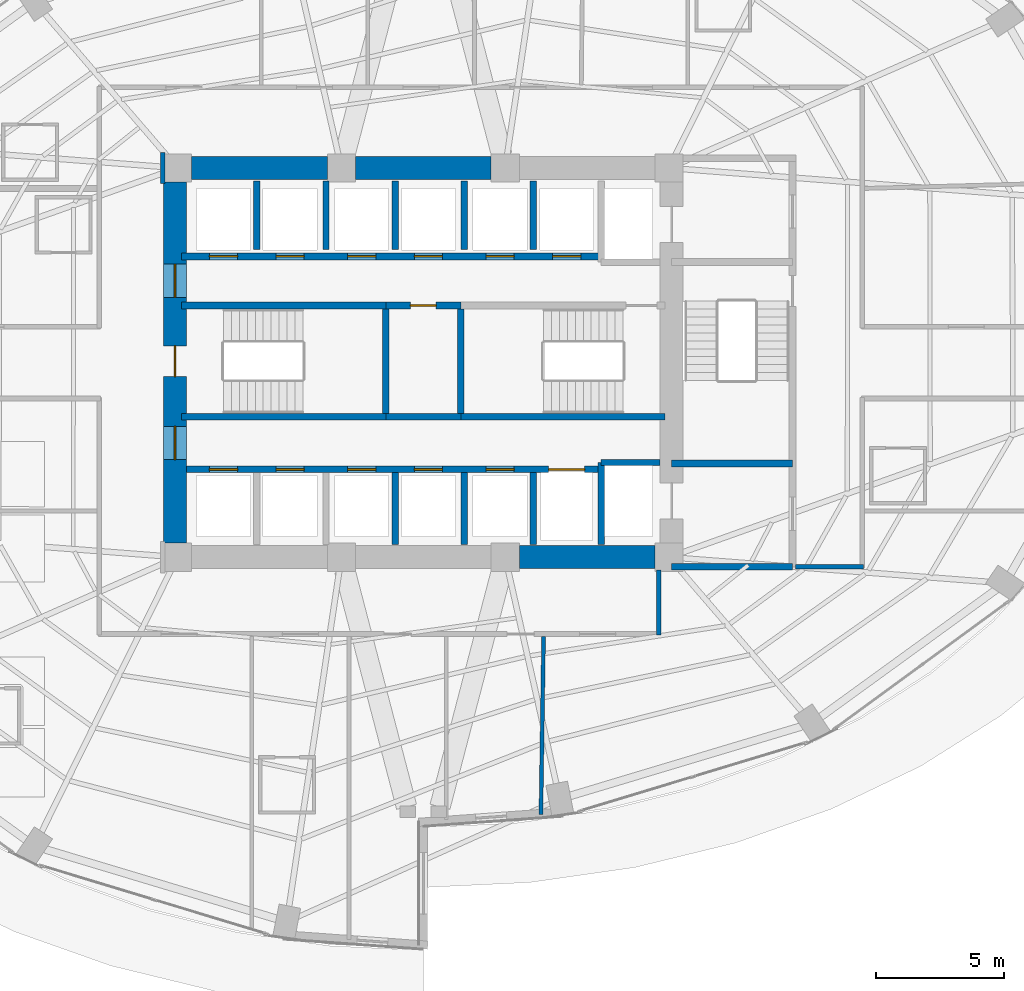
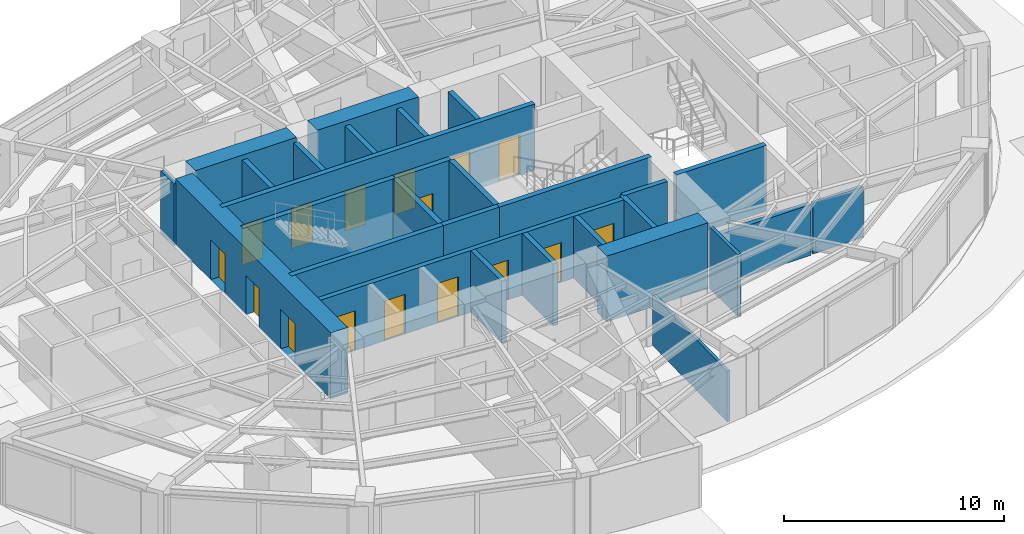
# One storey, part 21 of 25: 29 walls, 16 doors, 16 openings.
"""IFC4 building model written with IfcOpenShell, lengths in metres."""

from ifc_helpers import new_model, si_unit, direction, frame, frame_2d, origin, place, context, subcontext, project, spatial, rectangle, extrude, material, layer, layer_set, type_object, element, fill, save


model = new_model("IFC4")

# Units and contexts
model_context = context("Model", 3, precision=1e-05, world=origin(), true_north=direction((0.0, 1.0)))
body_context = subcontext(model_context, "Body", "Model", "MODEL_VIEW")
ifc_project = project(units=[si_unit("LENGTHUNIT", "METRE"), si_unit("AREAUNIT", "SQUARE_METRE"), si_unit("VOLUMEUNIT", "CUBIC_METRE"), si_unit("PLANEANGLEUNIT", "RADIAN"), si_unit("MASSUNIT", "GRAM", prefix="KILO")], contexts=[model_context])

# Site, building, storey
site_placement = place(None, origin())
site = spatial("IfcSite", under=ifc_project, at=site_placement, CompositionType="ELEMENT")
building_placement = place(site_placement, origin())
building = spatial("IfcBuilding", under=site, at=building_placement, Name="Lazwardi Medical Tower", CompositionType="ELEMENT")
storey_placement = place(building_placement, frame((0.0, 0.0, 25.199951171875)))
storey = spatial("IfcBuildingStorey", under=building, at=storey_placement, Name="L05", CompositionType="ELEMENT", Elevation=25.199951171875)

# Walls
ifc_material_1 = material(Name="Fire-rated gypsum board on steel stud", Category="steel")
ifc_layer_1 = layer(ifc_material_1, 0.179931640625)
ifc_layer_set_1 = layer_set([ifc_layer_1], Name="Fire-rated gypsum board on steel stud")
wall_type_1 = type_object("IfcWallType", Name="WL-COR-180", PredefinedType="PARTITIONING", material=ifc_layer_set_1)
wall_1_placement = place(storey_placement, frame((53.18994140625, 20.02001953125, 0.0), z_axis=(0.0, 0.0, 1.0), x_axis=(-1.0, 0.0, 0.0)))
element("IfcWall", 1, at=wall_1_placement, inside=storey, type_object=wall_type_1, Name="L05 Corridor partition 11", PredefinedType="PARTITIONING", context=body_context, shape_type="SweptSolid", body=[
    extrude(rectangle(XDim=2.64990234375, YDim=0.179931640625, at=frame_2d((1.324951171875, 0.0))), origin(), (0.0, 0.0, 1.0), 2.81298828125),
])
wall_2_placement = place(storey_placement, frame((25.830078125, 36.2099609375, 0.0), z_axis=(0.0, 0.0, 1.0), x_axis=(0.0, -1.0, 0.0)))
element("IfcWall", 2, at=wall_2_placement, inside=storey, type_object=wall_type_1, Name="L05 Corridor partition 12", PredefinedType="PARTITIONING", context=body_context, shape_type="SweptSolid", body=[
    extrude(rectangle(XDim=1.219970703125, YDim=0.179931640625, at=frame_2d((0.60986328125, 0.0))), origin(), (0.0, 0.0, 1.0), 3.427978515625),
])
wall_3_placement = place(storey_placement, frame((45.199951171875, 19.909912109375, 0.0), z_axis=(0.0, 0.0, 1.0), x_axis=(0.0, -1.0, 0.0)))
element("IfcWall", 3, at=wall_3_placement, inside=storey, type_object=wall_type_1, Name="L05 Corridor partition 14", PredefinedType="PARTITIONING", context=body_context, shape_type="SweptSolid", body=[
    extrude(rectangle(XDim=2.5498046875, YDim=0.179931640625, at=frame_2d((1.27490234375, 0.0))), origin(), (0.0, 0.0, 1.0), 3.427978515625),
])

# Wall, openings, doors
ifc_material_2 = material(Name="Concrete C80/95", Category="concrete")
ifc_layer_2 = layer(ifc_material_2, 0.89990234375)
ifc_layer_set_2 = layer_set([ifc_layer_2], Name="Concrete C80/95")
wall_type_2 = type_object("IfcWallType", Name="WL-CORE-900", PredefinedType="SHEAR", material=ifc_layer_set_2)
wall_4_placement = place(storey_placement, frame((26.300048828125, 20.949951171875, 0.0), z_axis=(0.0, 0.0, 1.0), x_axis=(0.0, 1.0, 0.0)))
wall_4 = element("IfcWall", 4, at=wall_4_placement, inside=storey, type_object=wall_type_2, Name="Core wall CW-S1 west L05", PredefinedType="SHEAR", context=body_context, shape_type="SweptSolid", body=[
    extrude(rectangle(XDim=14.10009765625, YDim=0.89990234375, at=frame_2d((7.050048828125, 0.0))), origin(), (0.0, 0.0, 1.0), 3.64794921875),
])
opening_1_placement = place(wall_4_placement, frame((6.5, 0.0, 0.0)))
opening_1 = element("IfcOpeningElement", 5, at=opening_1_placement, cuts=wall_4, Name="Opening D-L05-027", PredefinedType="OPENING", context=body_context, shape_type="SweptSolid", body=[
    extrude(rectangle(XDim=1.199951171875, YDim=2.14990234375, at=frame_2d((0.60009765625, 1.074951171875))), frame((0.0, 0.4599609375, 0.0), z_axis=(0.0, -1.0, 0.0), x_axis=(1.0, 0.0, 0.0)), (0.0, 0.0, 1.0), 0.919921875),
])
opening_2_placement = place(wall_4_placement, frame((9.60009765625, 0.0, 0.0)))
opening_2 = element("IfcOpeningElement", 6, at=opening_2_placement, cuts=wall_4, Name="Opening D-L05-012", PredefinedType="OPENING", context=body_context, shape_type="SweptSolid", body=[
    extrude(rectangle(XDim=1.300048828125, YDim=2.199951171875, at=frame_2d((0.64990234375, 1.10009765625))), frame((0.0, 0.4599609375, 0.0), z_axis=(0.0, -1.0, 0.0), x_axis=(1.0, 0.0, 0.0)), (0.0, 0.0, 1.0), 0.919921875),
])
opening_3_placement = place(wall_4_placement, frame((3.260009765625, 0.0, 0.0)))
opening_3 = element("IfcOpeningElement", 7, at=opening_3_placement, cuts=wall_4, Name="Opening D-L05-013", PredefinedType="OPENING", context=body_context, shape_type="SweptSolid", body=[
    extrude(rectangle(XDim=1.300048828125, YDim=2.199951171875, at=frame_2d((0.64990234375, 1.10009765625))), frame((0.0, 0.4599609375, 0.0), z_axis=(0.0, -1.0, 0.0), x_axis=(1.0, 0.0, 0.0)), (0.0, 0.0, 1.0), 0.919921875),
])
ifc_material_3 = material(Name="Fire-rated steel leaf and frame", Category="steel")
door_type_1 = type_object("IfcDoorType", Name="DR-FFL-1300", OperationType="NOTDEFINED", PredefinedType="DOOR", material=ifc_material_3)
door_1_placement = place(opening_2_placement, origin())
door_1 = element("IfcDoor", 8, at=door_1_placement, inside=storey, type_object=door_type_1, Name="L05 North Lift Lobby Door", OperationType="SINGLE_SWING_RIGHT", OverallHeight=2.199951171875, OverallWidth=1.300048828125, PredefinedType="DOOR", context=body_context, shape_type="SweptSolid", body=[
    extrude(rectangle(XDim=1.300048828125, YDim=2.199951171875, at=frame_2d((0.64990234375, 1.10009765625))), frame((0.0, 0.02490234375, 0.0), z_axis=(0.0, -1.0, 0.0), x_axis=(1.0, 0.0, 0.0)), (0.0, 0.0, 1.0), 0.050048828125),
])
fill(opening_2, door_1)
door_2_placement = place(opening_3_placement, origin())
door_2 = element("IfcDoor", 9, at=door_2_placement, inside=storey, type_object=door_type_1, Name="L05 South Lift Lobby Door", OperationType="SINGLE_SWING_LEFT", OverallHeight=2.199951171875, OverallWidth=1.300048828125, PredefinedType="DOOR", context=body_context, shape_type="SweptSolid", body=[
    extrude(rectangle(XDim=1.300048828125, YDim=2.199951171875, at=frame_2d((0.64990234375, 1.10009765625))), frame((0.0, 0.02490234375, 0.0), z_axis=(0.0, -1.0, 0.0), x_axis=(1.0, 0.0, 0.0)), (0.0, 0.0, 1.0), 0.050048828125),
])
fill(opening_3, door_2)
door_type_2 = type_object("IfcDoorType", Name="DR-STR-1200", OperationType="NOTDEFINED", PredefinedType="DOOR", material=ifc_material_3)
door_3_placement = place(opening_1_placement, origin())
door_3 = element("IfcDoor", 10, at=door_3_placement, inside=storey, type_object=door_type_2, Name="L05 Exit Stair ST1 Door", OperationType="SINGLE_SWING_LEFT", OverallHeight=2.14990234375, OverallWidth=1.199951171875, PredefinedType="DOOR", context=body_context, shape_type="SweptSolid", body=[
    extrude(rectangle(XDim=1.199951171875, YDim=2.14990234375, at=frame_2d((0.60009765625, 1.074951171875))), frame((0.0, 0.02490234375, 0.0), z_axis=(0.0, -1.0, 0.0), x_axis=(1.0, 0.0, 0.0)), (0.0, 0.0, 1.0), 0.050048828125),
])
fill(opening_1, door_3)

# Walls
wall_5_placement = place(storey_placement, frame((26.949951171875, 35.60009765625, 0.0), z_axis=(0.0, 0.0, 1.0), x_axis=(1.0, 0.0, 0.0)))
element("IfcWall", 11, at=wall_5_placement, inside=storey, type_object=wall_type_2, Name="Core wall CW-S1 N1 L05", PredefinedType="SHEAR", context=body_context, shape_type="SweptSolid", body=[
    extrude(rectangle(XDim=5.300048828125, YDim=0.89990234375, at=frame_2d((2.64990234375, 0.0))), origin(), (0.0, 0.0, 1.0), 3.64794921875),
])
wall_6_placement = place(storey_placement, frame((33.35009765625, 35.60009765625, 0.0), z_axis=(0.0, 0.0, 1.0), x_axis=(1.0, 0.0, 0.0)))
element("IfcWall", 12, at=wall_6_placement, inside=storey, type_object=wall_type_2, Name="Core wall CW-S1 N2 L05", PredefinedType="SHEAR", context=body_context, shape_type="SweptSolid", body=[
    extrude(rectangle(XDim=5.2998046875, YDim=0.89990234375, at=frame_2d((2.64990234375, 0.0))), origin(), (0.0, 0.0, 1.0), 3.64794921875),
])
wall_7_placement = place(storey_placement, frame((39.75, 20.39990234375, 0.0), z_axis=(0.0, 0.0, 1.0), x_axis=(1.0, 0.0, 0.0)))
element("IfcWall", 13, at=wall_7_placement, inside=storey, type_object=wall_type_2, Name="Core wall CW-S1 S3 L05", PredefinedType="SHEAR", context=body_context, shape_type="SweptSolid", body=[
    extrude(rectangle(XDim=5.300048828125, YDim=0.89990234375, at=frame_2d((2.64990234375, 0.0))), origin(), (0.0, 0.0, 1.0), 3.64794921875),
])

# Wall, openings, doors
ifc_material_4 = material(Name="Autoclaved aerated concrete blockwork", Category="masonry")
ifc_layer_3 = layer(ifc_material_4, 0.25)
ifc_layer_set_3 = layer_set([ifc_layer_3], Name="Autoclaved aerated concrete blockwork")
wall_type_3 = type_object("IfcWallType", Name="WL-SHAFT-250", PredefinedType="SOLIDWALL", material=ifc_layer_set_3)
wall_8_placement = place(storey_placement, frame((26.75, 23.830078125, 0.0), z_axis=(0.0, 0.0, 1.0), x_axis=(1.0, 0.0, 0.0)))
wall_8 = element("IfcWall", 14, at=wall_8_placement, inside=storey, type_object=wall_type_3, Name="L05 South lift bank front wall", PredefinedType="SOLIDWALL", context=body_context, shape_type="SweptSolid", body=[
    extrude(rectangle(XDim=16.199951171875, YDim=0.25, at=frame_2d((8.10009765625, 0.0))), origin(), (0.0, 0.0, 1.0), 3.427978515625),
])
opening_4_placement = place(wall_8_placement, frame((0.89990234375, 0.0, 0.0)))
opening_4 = element("IfcOpeningElement", 15, at=opening_4_placement, cuts=wall_8, Name="Opening LD-L05-006", PredefinedType="OPENING", context=body_context, shape_type="SweptSolid", body=[
    extrude(rectangle(XDim=1.10009765625, YDim=2.199951171875, at=frame_2d((0.550048828125, 1.10009765625))), frame((0.0, 0.135009765625, 0.0), z_axis=(0.0, -1.0, 0.0), x_axis=(1.0, 0.0, 0.0)), (0.0, 0.0, 1.0), 0.27001953125),
])
opening_5_placement = place(wall_8_placement, frame((3.5, 0.0, 0.0)))
opening_5 = element("IfcOpeningElement", 16, at=opening_5_placement, cuts=wall_8, Name="Opening LD-L05-007", PredefinedType="OPENING", context=body_context, shape_type="SweptSolid", body=[
    extrude(rectangle(XDim=1.10009765625, YDim=2.199951171875, at=frame_2d((0.550048828125, 1.10009765625))), frame((0.0, 0.135009765625, 0.0), z_axis=(0.0, -1.0, 0.0), x_axis=(1.0, 0.0, 0.0)), (0.0, 0.0, 1.0), 0.27001953125),
])
opening_6_placement = place(wall_8_placement, frame((6.300048828125, 0.0, 0.0)))
opening_6 = element("IfcOpeningElement", 17, at=opening_6_placement, cuts=wall_8, Name="Opening LD-L05-010", PredefinedType="OPENING", context=body_context, shape_type="SweptSolid", body=[
    extrude(rectangle(XDim=1.10009765625, YDim=2.199951171875, at=frame_2d((0.550048828125, 1.10009765625))), frame((0.0, 0.135009765625, 0.0), z_axis=(0.0, -1.0, 0.0), x_axis=(1.0, 0.0, 0.0)), (0.0, 0.0, 1.0), 0.27001953125),
])
opening_7_placement = place(wall_8_placement, frame((8.89990234375, 0.0, 0.0)))
opening_7 = element("IfcOpeningElement", 18, at=opening_7_placement, cuts=wall_8, Name="Opening LD-L05-011", PredefinedType="OPENING", context=body_context, shape_type="SweptSolid", body=[
    extrude(rectangle(XDim=1.10009765625, YDim=2.199951171875, at=frame_2d((0.550048828125, 1.10009765625))), frame((0.0, 0.135009765625, 0.0), z_axis=(0.0, -1.0, 0.0), x_axis=(1.0, 0.0, 0.0)), (0.0, 0.0, 1.0), 0.27001953125),
])
opening_8_placement = place(wall_8_placement, frame((11.699951171875, 0.0, 0.0)))
opening_8 = element("IfcOpeningElement", 19, at=opening_8_placement, cuts=wall_8, Name="Opening LD-L05-014", PredefinedType="OPENING", context=body_context, shape_type="SweptSolid", body=[
    extrude(rectangle(XDim=1.10009765625, YDim=2.199951171875, at=frame_2d((0.550048828125, 1.10009765625))), frame((0.0, 0.135009765625, 0.0), z_axis=(0.0, -1.0, 0.0), x_axis=(1.0, 0.0, 0.0)), (0.0, 0.0, 1.0), 0.27001953125),
])
opening_9_placement = place(wall_8_placement, frame((14.14990234375, 0.0, 0.0)))
opening_9 = element("IfcOpeningElement", 20, at=opening_9_placement, cuts=wall_8, Name="Opening LD-L05-003", PredefinedType="OPENING", context=body_context, shape_type="SweptSolid", body=[
    extrude(rectangle(XDim=1.39990234375, YDim=2.300048828125, at=frame_2d((0.699951171875, 1.14990234375))), frame((0.0, 0.135009765625, 0.0), z_axis=(0.0, -1.0, 0.0), x_axis=(1.0, 0.0, 0.0)), (0.0, 0.0, 1.0), 0.27001953125),
])
ifc_material_5 = material(Name="Brushed bronze stainless steel landing door", Category="steel")
door_type_3 = type_object("IfcDoorType", Name="DR-LFT-1100", OperationType="NOTDEFINED", PredefinedType="DOOR", material=ifc_material_5)
door_4_placement = place(opening_4_placement, origin())
door_4 = element("IfcDoor", 21, at=door_4_placement, inside=storey, type_object=door_type_3, Name="L05 Lift Landing Door PL-03", OperationType="SLIDING_TO_LEFT", OverallHeight=2.199951171875, OverallWidth=1.10009765625, PredefinedType="DOOR", context=body_context, shape_type="SweptSolid", body=[
    extrude(rectangle(XDim=1.10009765625, YDim=2.199951171875, at=frame_2d((0.550048828125, 1.10009765625))), frame((0.0, 0.02490234375, 0.0), z_axis=(0.0, -1.0, 0.0), x_axis=(1.0, 0.0, 0.0)), (0.0, 0.0, 1.0), 0.050048828125),
])
fill(opening_4, door_4)
door_5_placement = place(opening_5_placement, origin())
door_5 = element("IfcDoor", 22, at=door_5_placement, inside=storey, type_object=door_type_3, Name="L05 Lift Landing Door PL-04", OperationType="SLIDING_TO_LEFT", OverallHeight=2.199951171875, OverallWidth=1.10009765625, PredefinedType="DOOR", context=body_context, shape_type="SweptSolid", body=[
    extrude(rectangle(XDim=1.10009765625, YDim=2.199951171875, at=frame_2d((0.550048828125, 1.10009765625))), frame((0.0, 0.02490234375, 0.0), z_axis=(0.0, -1.0, 0.0), x_axis=(1.0, 0.0, 0.0)), (0.0, 0.0, 1.0), 0.050048828125),
])
fill(opening_5, door_5)
door_6_placement = place(opening_6_placement, origin())
door_6 = element("IfcDoor", 23, at=door_6_placement, inside=storey, type_object=door_type_3, Name="L05 Lift Landing Door PL-07", OperationType="SLIDING_TO_LEFT", OverallHeight=2.199951171875, OverallWidth=1.10009765625, PredefinedType="DOOR", context=body_context, shape_type="SweptSolid", body=[
    extrude(rectangle(XDim=1.10009765625, YDim=2.199951171875, at=frame_2d((0.550048828125, 1.10009765625))), frame((0.0, 0.02490234375, 0.0), z_axis=(0.0, -1.0, 0.0), x_axis=(1.0, 0.0, 0.0)), (0.0, 0.0, 1.0), 0.050048828125),
])
fill(opening_6, door_6)
door_7_placement = place(opening_7_placement, origin())
door_7 = element("IfcDoor", 24, at=door_7_placement, inside=storey, type_object=door_type_3, Name="L05 Lift Landing Door PL-08", OperationType="SLIDING_TO_LEFT", OverallHeight=2.199951171875, OverallWidth=1.10009765625, PredefinedType="DOOR", context=body_context, shape_type="SweptSolid", body=[
    extrude(rectangle(XDim=1.10009765625, YDim=2.199951171875, at=frame_2d((0.550048828125, 1.10009765625))), frame((0.0, 0.02490234375, 0.0), z_axis=(0.0, -1.0, 0.0), x_axis=(1.0, 0.0, 0.0)), (0.0, 0.0, 1.0), 0.050048828125),
])
fill(opening_7, door_7)
door_8_placement = place(opening_8_placement, origin())
door_8 = element("IfcDoor", 25, at=door_8_placement, inside=storey, type_object=door_type_3, Name="L05 Lift Landing Door PL-11", OperationType="SLIDING_TO_LEFT", OverallHeight=2.199951171875, OverallWidth=1.10009765625, PredefinedType="DOOR", context=body_context, shape_type="SweptSolid", body=[
    extrude(rectangle(XDim=1.10009765625, YDim=2.199951171875, at=frame_2d((0.550048828125, 1.10009765625))), frame((0.0, 0.02490234375, 0.0), z_axis=(0.0, -1.0, 0.0), x_axis=(1.0, 0.0, 0.0)), (0.0, 0.0, 1.0), 0.050048828125),
])
fill(opening_8, door_8)
ifc_material_6 = material(Name="Brushed stainless steel bed-lift landing door", Category="steel")
door_type_4 = type_object("IfcDoorType", Name="DR-LFT-1400", OperationType="NOTDEFINED", PredefinedType="DOOR", material=ifc_material_6)
door_9_placement = place(opening_9_placement, origin())
door_9 = element("IfcDoor", 26, at=door_9_placement, inside=storey, type_object=door_type_4, Name="L05 Lift Landing Door FL-03", OperationType="SLIDING_TO_LEFT", OverallHeight=2.300048828125, OverallWidth=1.39990234375, PredefinedType="DOOR", context=body_context, shape_type="SweptSolid", body=[
    extrude(rectangle(XDim=1.39990234375, YDim=2.300048828125, at=frame_2d((0.699951171875, 1.14990234375))), frame((0.0, 0.02490234375, 0.0), z_axis=(0.0, -1.0, 0.0), x_axis=(1.0, 0.0, 0.0)), (0.0, 0.0, 1.0), 0.050048828125),
])
fill(opening_9, door_9)

# Walls
wall_9_placement = place(storey_placement, frame((42.949951171875, 20.89990234375, 0.0), z_axis=(0.0, 0.0, 1.0), x_axis=(0.0, 1.0, 0.0)))
element("IfcWall", 27, at=wall_9_placement, inside=storey, type_object=wall_type_3, Name="L05 FL-02 West shaft wall", PredefinedType="SOLIDWALL", context=body_context, shape_type="SweptSolid", body=[
    extrude(rectangle(XDim=3.2001953125, YDim=0.25, at=frame_2d((1.60009765625, 0.0))), origin(), (0.0, 0.0, 1.0), 3.427978515625),
])
wall_10_placement = place(storey_placement, frame((42.949951171875, 24.10009765625, 0.0), z_axis=(0.0, 0.0, 1.0), x_axis=(1.0, 0.0, 0.0)))
element("IfcWall", 28, at=wall_10_placement, inside=storey, type_object=wall_type_3, Name="L05 FL-02 North shaft wall", PredefinedType="SOLIDWALL", context=body_context, shape_type="SweptSolid", body=[
    extrude(rectangle(XDim=2.300048828125, YDim=0.25, at=frame_2d((1.14990234375, 0.0))), origin(), (0.0, 0.0, 1.0), 3.427978515625),
])
for number, where, z_axis, x_axis, name in (
    (29, (29.5, 32.419921875, 0.0), (0.0, 0.0, 1.0), (0.0, 1.0, 0.0), "L05 North hoistway divider"),
    (30, (32.199951171875, 32.419921875, 0.0), (0.0, 0.0, 1.0), (0.0, 1.0, 0.0), "L05 North hoistway divider"),
    (31, (34.89990234375, 32.419921875, 0.0), (0.0, 0.0, 1.0), (0.0, 1.0, 0.0), "L05 North hoistway divider"),
):
    element("IfcWall", number, at=place(storey_placement, frame(where, z_axis=z_axis, x_axis=x_axis)), inside=storey, type_object=wall_type_3, Name=name, PredefinedType="SOLIDWALL", context=body_context, shape_type="SweptSolid", body=[
        extrude(rectangle(XDim=2.68017578125, YDim=0.25, at=frame_2d((1.340087890625, 0.0))), origin(), (0.0, 0.0, 1.0), 3.427978515625),
    ])
wall_11_placement = place(storey_placement, frame((34.89990234375, 20.89990234375, 0.0), z_axis=(0.0, 0.0, 1.0), x_axis=(0.0, 1.0, 0.0)))
element("IfcWall", 32, at=wall_11_placement, inside=storey, type_object=wall_type_3, Name="L05 South hoistway divider", PredefinedType="SOLIDWALL", context=body_context, shape_type="SweptSolid", body=[
    extrude(rectangle(XDim=2.800048828125, YDim=0.25, at=frame_2d((1.39990234375, 0.0))), origin(), (0.0, 0.0, 1.0), 3.427978515625),
])
wall_12_placement = place(storey_placement, frame((37.60009765625, 32.419921875, 0.0), z_axis=(0.0, 0.0, 1.0), x_axis=(0.0, 1.0, 0.0)))
element("IfcWall", 33, at=wall_12_placement, inside=storey, type_object=wall_type_3, Name="L05 North hoistway divider", PredefinedType="SOLIDWALL", context=body_context, shape_type="SweptSolid", body=[
    extrude(rectangle(XDim=2.68017578125, YDim=0.25, at=frame_2d((1.340087890625, 0.0))), origin(), (0.0, 0.0, 1.0), 3.427978515625),
])
wall_13_placement = place(storey_placement, frame((37.60009765625, 20.89990234375, 0.0), z_axis=(0.0, 0.0, 1.0), x_axis=(0.0, 1.0, 0.0)))
element("IfcWall", 34, at=wall_13_placement, inside=storey, type_object=wall_type_3, Name="L05 South hoistway divider", PredefinedType="SOLIDWALL", context=body_context, shape_type="SweptSolid", body=[
    extrude(rectangle(XDim=2.800048828125, YDim=0.25, at=frame_2d((1.39990234375, 0.0))), origin(), (0.0, 0.0, 1.0), 3.427978515625),
])
wall_14_placement = place(storey_placement, frame((40.300048828125, 32.419921875, 0.0), z_axis=(0.0, 0.0, 1.0), x_axis=(0.0, 1.0, 0.0)))
element("IfcWall", 35, at=wall_14_placement, inside=storey, type_object=wall_type_3, Name="L05 North hoistway divider", PredefinedType="SOLIDWALL", context=body_context, shape_type="SweptSolid", body=[
    extrude(rectangle(XDim=2.68017578125, YDim=0.25, at=frame_2d((1.340087890625, 0.0))), origin(), (0.0, 0.0, 1.0), 3.427978515625),
])
wall_15_placement = place(storey_placement, frame((40.300048828125, 20.89990234375, 0.0), z_axis=(0.0, 0.0, 1.0), x_axis=(0.0, 1.0, 0.0)))
element("IfcWall", 36, at=wall_15_placement, inside=storey, type_object=wall_type_3, Name="L05 South hoistway divider", PredefinedType="SOLIDWALL", context=body_context, shape_type="SweptSolid", body=[
    extrude(rectangle(XDim=2.800048828125, YDim=0.25, at=frame_2d((1.39990234375, 0.0))), origin(), (0.0, 0.0, 1.0), 3.427978515625),
])
wall_16_placement = place(storey_placement, frame((45.699951171875, 20.02001953125, 0.0), z_axis=(0.0, 0.0, 1.0), x_axis=(1.0, 0.0, 0.0)))
element("IfcWall", 37, at=wall_16_placement, inside=storey, type_object=wall_type_3, Name="L05 FFL-S South wall", PredefinedType="SOLIDWALL", context=body_context, shape_type="SweptSolid", body=[
    extrude(rectangle(XDim=4.715087890625, YDim=0.25, at=frame_2d((2.357421875, 0.0))), origin(), (0.0, 0.0, 1.0), 2.81298828125),
])
ifc_material_7 = material(Name="Concrete C50/60", Category="concrete")
ifc_layer_4 = layer(ifc_material_7, 0.27001953125)
ifc_layer_set_4 = layer_set([ifc_layer_4], Name="Concrete C50/60")
wall_type_4 = type_object("IfcWallType", Name="WL-STR-250", PredefinedType="SHEAR", material=ifc_layer_set_4)
wall_17_placement = place(storey_placement, frame((26.550048828125, 30.235107421875, 0.0), z_axis=(0.0, 0.0, 1.0), x_axis=(1.0, 0.0, 0.0)))
element("IfcWall", 38, at=wall_17_placement, inside=storey, type_object=wall_type_4, Name="L05 ST1 North shear shaft wall SW-S1", PredefinedType="SHEAR", context=body_context, shape_type="SweptSolid", body=[
    extrude(rectangle(XDim=7.98486328125, YDim=0.27001953125, at=frame_2d((3.992431640625, 0.0))), origin(), (0.0, 0.0, 1.0), 3.64794921875),
])

# Wall, opening, door
wall_18_placement = place(storey_placement, frame((34.534912109375, 30.235107421875, 0.0), z_axis=(0.0, 0.0, 1.0), x_axis=(1.0, 0.0, 0.0)))
wall_18 = element("IfcWall", 39, at=wall_18_placement, inside=storey, type_object=wall_type_4, Name="L05 Core service North shear wall SW-S1", PredefinedType="SHEAR", context=body_context, shape_type="SweptSolid", body=[
    extrude(rectangle(XDim=2.93017578125, YDim=0.27001953125, at=frame_2d((1.465087890625, 0.0))), origin(), (0.0, 0.0, 1.0), 3.64794921875),
])
opening_10_placement = place(wall_18_placement, frame((0.965087890625, 0.0, 0.0)))
opening_10 = element("IfcOpeningElement", 40, at=opening_10_placement, cuts=wall_18, Name="Opening D-L05-001", PredefinedType="OPENING", context=body_context, shape_type="SweptSolid", body=[
    extrude(rectangle(XDim=1.0, YDim=2.10009765625, at=frame_2d((0.5, 1.050048828125))), frame((0.0, 0.14501953125, 0.0), z_axis=(0.0, -1.0, 0.0), x_axis=(1.0, 0.0, 0.0)), (0.0, 0.0, 1.0), 0.2900390625),
])
ifc_material_8 = material(Name="Moisture-resistant laminate door leaf")
door_type_5 = type_object("IfcDoorType", Name="DR-AWC-1000", OperationType="NOTDEFINED", PredefinedType="DOOR", material=ifc_material_8)
door_10_placement = place(opening_10_placement, origin())
door_10 = element("IfcDoor", 41, at=door_10_placement, inside=storey, type_object=door_type_5, Name="L05 Accessible WC Door", OperationType="SINGLE_SWING_LEFT", OverallHeight=2.10009765625, OverallWidth=1.0, PredefinedType="DOOR", context=body_context, shape_type="SweptSolid", body=[
    extrude(rectangle(XDim=1.0, YDim=2.10009765625, at=frame_2d((0.5, 1.050048828125))), frame((0.0, 0.02490234375, 0.0), z_axis=(0.0, -1.0, 0.0), x_axis=(1.0, 0.0, 0.0)), (0.0, 0.0, 1.0), 0.050048828125),
])
fill(opening_10, door_10)

# Walls
wall_19_placement = place(storey_placement, frame((26.550048828125, 25.885009765625, 0.0), z_axis=(0.0, 0.0, 1.0), x_axis=(1.0, 0.0, 0.0)))
element("IfcWall", 42, at=wall_19_placement, inside=storey, type_object=wall_type_4, Name="L05 ST1 South shear shaft wall SW-S1", PredefinedType="SHEAR", context=body_context, shape_type="SweptSolid", body=[
    extrude(rectangle(XDim=7.98486328125, YDim=0.27001953125, at=frame_2d((3.992431640625, 0.0))), origin(), (0.0, 0.0, 1.0), 3.64794921875),
])
wall_20_placement = place(storey_placement, frame((34.534912109375, 25.885009765625, 0.0), z_axis=(0.0, 0.0, 1.0), x_axis=(1.0, 0.0, 0.0)))
element("IfcWall", 43, at=wall_20_placement, inside=storey, type_object=wall_type_4, Name="L05 Core service South shear wall SW-S1", PredefinedType="SHEAR", context=body_context, shape_type="SweptSolid", body=[
    extrude(rectangle(XDim=2.93017578125, YDim=0.27001953125, at=frame_2d((1.465087890625, 0.0))), origin(), (0.0, 0.0, 1.0), 3.64794921875),
])
wall_21_placement = place(storey_placement, frame((37.465087890625, 25.885009765625, 0.0), z_axis=(0.0, 0.0, 1.0), x_axis=(1.0, 0.0, 0.0)))
element("IfcWall", 44, at=wall_21_placement, inside=storey, type_object=wall_type_4, Name="L05 ST2 South shear shaft wall SW-S1", PredefinedType="SHEAR", context=body_context, shape_type="SweptSolid", body=[
    extrude(rectangle(XDim=7.98486328125, YDim=0.27001953125, at=frame_2d((3.992431640625, 0.0))), origin(), (0.0, 0.0, 1.0), 3.64794921875),
])
for number, where, z_axis, x_axis, name in (
    (45, (34.534912109375, 26.02001953125, 0.0), (0.0, 0.0, 1.0), (0.0, 1.0, 0.0), "L05 ST1 East shear shaft wall SW-S1"),
    (46, (37.465087890625, 26.02001953125, 0.0), (0.0, 0.0, 1.0), (0.0, 1.0, 0.0), "L05 ST2 West shear shaft wall SW-S1"),
):
    element("IfcWall", number, at=place(storey_placement, frame(where, z_axis=z_axis, x_axis=x_axis)), inside=storey, type_object=wall_type_4, Name=name, PredefinedType="SHEAR", context=body_context, shape_type="SweptSolid", body=[
        extrude(rectangle(XDim=4.080078125, YDim=0.27001953125, at=frame_2d((2.0400390625, 0.0))), origin(), (0.0, 0.0, 1.0), 3.64794921875),
    ])

# Wall, openings, doors
wall_22_placement = place(storey_placement, frame((26.550048828125, 32.14990234375, 0.0), z_axis=(0.0, 0.0, 1.0), x_axis=(1.0, 0.0, 0.0)))
wall_22 = element("IfcWall", 47, at=wall_22_placement, inside=storey, type_object=wall_type_4, Name="L05 North lift bank shear wall SW-S1", PredefinedType="SHEAR", context=body_context, shape_type="SweptSolid", body=[
    extrude(rectangle(XDim=16.39990234375, YDim=0.27001953125, at=frame_2d((8.199951171875, 0.0))), origin(), (0.0, 0.0, 1.0), 3.64794921875),
])
opening_11_placement = place(wall_22_placement, frame((1.10009765625, 0.0, 0.0)))
opening_11 = element("IfcOpeningElement", 48, at=opening_11_placement, cuts=wall_22, Name="Opening LD-L05-004", PredefinedType="OPENING", context=body_context, shape_type="SweptSolid", body=[
    extrude(rectangle(XDim=1.10009765625, YDim=2.199951171875, at=frame_2d((0.550048828125, 1.10009765625))), frame((0.0, 0.14501953125, 0.0), z_axis=(0.0, -1.0, 0.0), x_axis=(1.0, 0.0, 0.0)), (0.0, 0.0, 1.0), 0.2900390625),
])
opening_12_placement = place(wall_22_placement, frame((3.699951171875, 0.0, 0.0)))
opening_12 = element("IfcOpeningElement", 49, at=opening_12_placement, cuts=wall_22, Name="Opening LD-L05-005", PredefinedType="OPENING", context=body_context, shape_type="SweptSolid", body=[
    extrude(rectangle(XDim=1.10009765625, YDim=2.199951171875, at=frame_2d((0.550048828125, 1.10009765625))), frame((0.0, 0.14501953125, 0.0), z_axis=(0.0, -1.0, 0.0), x_axis=(1.0, 0.0, 0.0)), (0.0, 0.0, 1.0), 0.2900390625),
])
opening_13_placement = place(wall_22_placement, frame((6.5, 0.0, 0.0)))
opening_13 = element("IfcOpeningElement", 50, at=opening_13_placement, cuts=wall_22, Name="Opening LD-L05-008", PredefinedType="OPENING", context=body_context, shape_type="SweptSolid", body=[
    extrude(rectangle(XDim=1.10009765625, YDim=2.199951171875, at=frame_2d((0.550048828125, 1.10009765625))), frame((0.0, 0.14501953125, 0.0), z_axis=(0.0, -1.0, 0.0), x_axis=(1.0, 0.0, 0.0)), (0.0, 0.0, 1.0), 0.2900390625),
])
opening_14_placement = place(wall_22_placement, frame((9.10009765625, 0.0, 0.0)))
opening_14 = element("IfcOpeningElement", 51, at=opening_14_placement, cuts=wall_22, Name="Opening LD-L05-009", PredefinedType="OPENING", context=body_context, shape_type="SweptSolid", body=[
    extrude(rectangle(XDim=1.10009765625, YDim=2.199951171875, at=frame_2d((0.550048828125, 1.10009765625))), frame((0.0, 0.14501953125, 0.0), z_axis=(0.0, -1.0, 0.0), x_axis=(1.0, 0.0, 0.0)), (0.0, 0.0, 1.0), 0.2900390625),
])
opening_15_placement = place(wall_22_placement, frame((11.89990234375, 0.0, 0.0)))
opening_15 = element("IfcOpeningElement", 52, at=opening_15_placement, cuts=wall_22, Name="Opening LD-L05-012", PredefinedType="OPENING", context=body_context, shape_type="SweptSolid", body=[
    extrude(rectangle(XDim=1.10009765625, YDim=2.199951171875, at=frame_2d((0.550048828125, 1.10009765625))), frame((0.0, 0.14501953125, 0.0), z_axis=(0.0, -1.0, 0.0), x_axis=(1.0, 0.0, 0.0)), (0.0, 0.0, 1.0), 0.2900390625),
])
opening_16_placement = place(wall_22_placement, frame((14.5, 0.0, 0.0)))
opening_16 = element("IfcOpeningElement", 53, at=opening_16_placement, cuts=wall_22, Name="Opening LD-L05-013", PredefinedType="OPENING", context=body_context, shape_type="SweptSolid", body=[
    extrude(rectangle(XDim=1.10009765625, YDim=2.199951171875, at=frame_2d((0.550048828125, 1.10009765625))), frame((0.0, 0.14501953125, 0.0), z_axis=(0.0, -1.0, 0.0), x_axis=(1.0, 0.0, 0.0)), (0.0, 0.0, 1.0), 0.2900390625),
])
door_11_placement = place(opening_11_placement, origin())
door_11 = element("IfcDoor", 54, at=door_11_placement, inside=storey, type_object=door_type_3, Name="L05 Lift Landing Door PL-01", OperationType="SLIDING_TO_LEFT", OverallHeight=2.199951171875, OverallWidth=1.10009765625, PredefinedType="DOOR", context=body_context, shape_type="SweptSolid", body=[
    extrude(rectangle(XDim=1.10009765625, YDim=2.199951171875, at=frame_2d((0.550048828125, 1.10009765625))), frame((0.0, 0.02490234375, 0.0), z_axis=(0.0, -1.0, 0.0), x_axis=(1.0, 0.0, 0.0)), (0.0, 0.0, 1.0), 0.050048828125),
])
fill(opening_11, door_11)
door_12_placement = place(opening_12_placement, origin())
door_12 = element("IfcDoor", 55, at=door_12_placement, inside=storey, type_object=door_type_3, Name="L05 Lift Landing Door PL-02", OperationType="SLIDING_TO_LEFT", OverallHeight=2.199951171875, OverallWidth=1.10009765625, PredefinedType="DOOR", context=body_context, shape_type="SweptSolid", body=[
    extrude(rectangle(XDim=1.10009765625, YDim=2.199951171875, at=frame_2d((0.550048828125, 1.10009765625))), frame((0.0, 0.02490234375, 0.0), z_axis=(0.0, -1.0, 0.0), x_axis=(1.0, 0.0, 0.0)), (0.0, 0.0, 1.0), 0.050048828125),
])
fill(opening_12, door_12)
door_13_placement = place(opening_13_placement, origin())
door_13 = element("IfcDoor", 56, at=door_13_placement, inside=storey, type_object=door_type_3, Name="L05 Lift Landing Door PL-05", OperationType="SLIDING_TO_LEFT", OverallHeight=2.199951171875, OverallWidth=1.10009765625, PredefinedType="DOOR", context=body_context, shape_type="SweptSolid", body=[
    extrude(rectangle(XDim=1.10009765625, YDim=2.199951171875, at=frame_2d((0.550048828125, 1.10009765625))), frame((0.0, 0.02490234375, 0.0), z_axis=(0.0, -1.0, 0.0), x_axis=(1.0, 0.0, 0.0)), (0.0, 0.0, 1.0), 0.050048828125),
])
fill(opening_13, door_13)
door_14_placement = place(opening_14_placement, origin())
door_14 = element("IfcDoor", 57, at=door_14_placement, inside=storey, type_object=door_type_3, Name="L05 Lift Landing Door PL-06", OperationType="SLIDING_TO_LEFT", OverallHeight=2.199951171875, OverallWidth=1.10009765625, PredefinedType="DOOR", context=body_context, shape_type="SweptSolid", body=[
    extrude(rectangle(XDim=1.10009765625, YDim=2.199951171875, at=frame_2d((0.550048828125, 1.10009765625))), frame((0.0, 0.02490234375, 0.0), z_axis=(0.0, -1.0, 0.0), x_axis=(1.0, 0.0, 0.0)), (0.0, 0.0, 1.0), 0.050048828125),
])
fill(opening_14, door_14)
door_15_placement = place(opening_15_placement, origin())
door_15 = element("IfcDoor", 58, at=door_15_placement, inside=storey, type_object=door_type_3, Name="L05 Lift Landing Door PL-09", OperationType="SLIDING_TO_LEFT", OverallHeight=2.199951171875, OverallWidth=1.10009765625, PredefinedType="DOOR", context=body_context, shape_type="SweptSolid", body=[
    extrude(rectangle(XDim=1.10009765625, YDim=2.199951171875, at=frame_2d((0.550048828125, 1.10009765625))), frame((0.0, 0.02490234375, 0.0), z_axis=(0.0, -1.0, 0.0), x_axis=(1.0, 0.0, 0.0)), (0.0, 0.0, 1.0), 0.050048828125),
])
fill(opening_15, door_15)
door_16_placement = place(opening_16_placement, origin())
door_16 = element("IfcDoor", 59, at=door_16_placement, inside=storey, type_object=door_type_3, Name="L05 Lift Landing Door PL-10", OperationType="SLIDING_TO_LEFT", OverallHeight=2.199951171875, OverallWidth=1.10009765625, PredefinedType="DOOR", context=body_context, shape_type="SweptSolid", body=[
    extrude(rectangle(XDim=1.10009765625, YDim=2.199951171875, at=frame_2d((0.550048828125, 1.10009765625))), frame((0.0, 0.02490234375, 0.0), z_axis=(0.0, -1.0, 0.0), x_axis=(1.0, 0.0, 0.0)), (0.0, 0.0, 1.0), 0.050048828125),
])
fill(opening_16, door_16)

# Walls
wall_23_placement = place(storey_placement, frame((45.699951171875, 24.06494140625, 0.0), z_axis=(0.0, 0.0, 1.0), x_axis=(1.0, 0.0, 0.0)))
element("IfcWall", 60, at=wall_23_placement, inside=storey, type_object=wall_type_4, Name="L05 ST3 South shear shaft wall SW-S1", PredefinedType="SHEAR", context=body_context, shape_type="SweptSolid", body=[
    extrude(rectangle(XDim=4.715087890625, YDim=0.27001953125, at=frame_2d((2.357421875, 0.0))), origin(), (0.0, 0.0, 1.0), 3.64794921875),
])
ifc_material_9 = material(Name="Acoustic gypsum board partition")
ifc_layer_5 = layer(ifc_material_9, 0.14990234375)
ifc_layer_set_5 = layer_set([ifc_layer_5], Name="Acoustic gypsum board partition")
wall_type_5 = type_object("IfcWallType", Name="WL-WRD-150", PredefinedType="PARTITIONING", material=ifc_layer_set_5)
wall_24_placement = place(storey_placement, frame((40.594970703125, 10.35888671875, 0.0), z_axis=(0.0, 0.0, 1.0), x_axis=(0.014960393547, 0.99988808705, 0.0)))
element("IfcWall", 61, at=wall_24_placement, inside=storey, type_object=wall_type_5, Name="L05 Room partition 13", PredefinedType="PARTITIONING", context=body_context, shape_type="SweptSolid", body=[
    extrude(rectangle(XDim=6.951904296875, YDim=0.14990234375, at=frame_2d((3.47607421875, 0.0))), origin(), (0.0, 0.0, 1.0), 2.81298828125),
])

save(model, "model.ifc")
